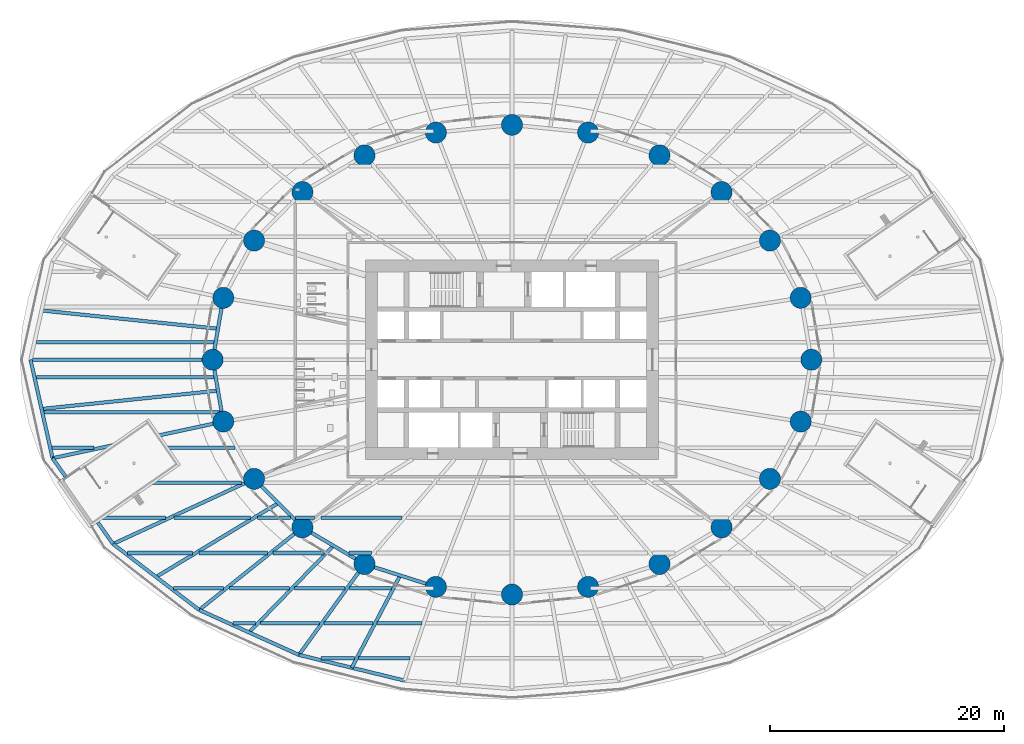
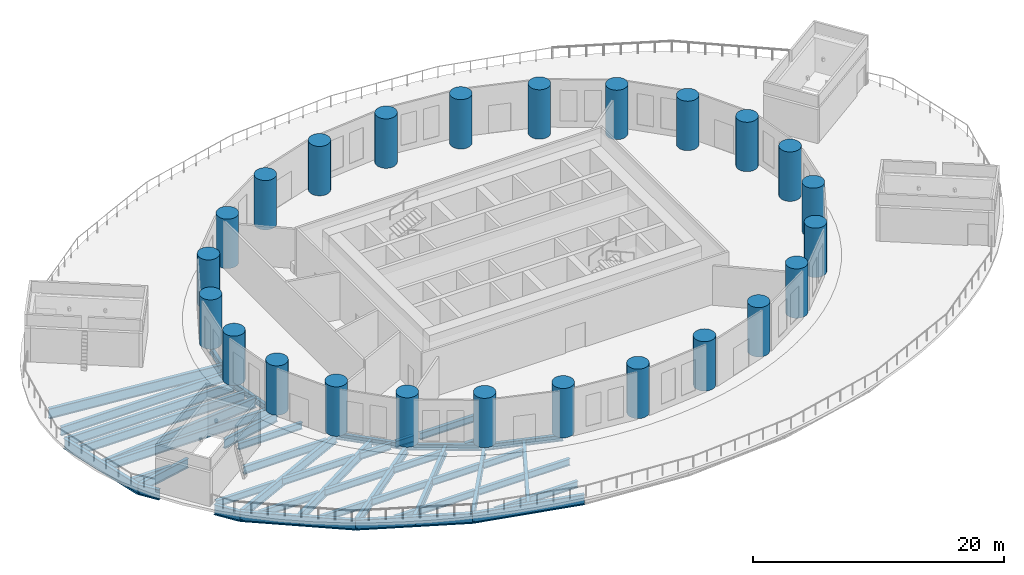
# One storey, part 1 of 17: 47 beams, 24 columns.
"""IFC4 building model written with IfcOpenShell, lengths in metres."""

import ifcopenshell
import ifcopenshell.guid

model = None  # the IFC model being written
_history = None  # IfcOwnerHistory: only IFC2X3 demands one
_inside = {}  # id of a spatial element -> (the spatial element, [elements in it])
_under = {}  # id of a project, library or spatial element -> (it, [spatial elements below it])
_declared = {}  # id of a project -> (the project, [libraries it declares])
_typed = {}  # id of a type object -> (the type object, [elements of that type])
_made_of = {}  # id of a material, layer set ... -> (it, [elements and type objects made of it])


def new_model(schema):
    """Start an empty IFC model of exactly this schema.

    Asked for "IFC4X3", IfcOpenShell would pick the latest addendum, in which some entities
    have other attributes; the version numbers below select the first issue.
    IFC2X3 requires an IfcOwnerHistory on every rooted entity: one is made here for all.
    """
    global model, _history
    if schema == "IFC4X3":
        model = ifcopenshell.file(schema_version=(4, 3, 0, 0))
    else:
        model = ifcopenshell.file(schema=schema)
    _inside.clear()
    _under.clear()
    _declared.clear()
    _typed.clear()
    _made_of.clear()
    _history = None
    if model.schema == "IFC2X3":
        org = make("IfcOrganization", Name="unknown")
        user = make(
            "IfcPersonAndOrganization",
            ThePerson=make("IfcPerson", FamilyName="unknown"),
            TheOrganization=org,
        )
        app = make(
            "IfcApplication",
            ApplicationDeveloper=org,
            Version="unknown",
            ApplicationFullName="unknown",
            ApplicationIdentifier="unknown",
        )
        _history = make(
            "IfcOwnerHistory",
            OwningUser=user,
            OwningApplication=app,
            ChangeAction="ADDED",
            CreationDate=0,
        )
    return model


def make(cls, **values):
    """One entity of the class cls with the attributes given. An attribute that is None is left unset."""
    return model.create_entity(
        cls, **{name: value for name, value in values.items() if value is not None}
    )


def rooted(cls, **values):
    """An entity with a GlobalId (a new one), such as an element, a storey or a relation."""
    return make(cls, GlobalId=ifcopenshell.guid.new(), OwnerHistory=_history, **values)


def si_unit(unit_type, name, prefix=None):
    """IfcSIUnit, for example si_unit("LENGTHUNIT", "METRE", prefix="MILLI")."""
    return make("IfcSIUnit", UnitType=unit_type, Prefix=prefix, Name=name)


def assignment(units):
    """IfcUnitAssignment: the units of a project."""
    return None if units is None else make("IfcUnitAssignment", Units=units)


def point(xyz):
    """IfcCartesianPoint."""
    return None if xyz is None else make("IfcCartesianPoint", Coordinates=xyz)


def direction(xyz):
    """IfcDirection."""
    return None if xyz is None else make("IfcDirection", DirectionRatios=xyz)


def frame(location, z_axis=None, x_axis=None):
    """IfcAxis2Placement3D, a coordinate frame: its origin and axes. An axis left out is left unset."""
    return make(
        "IfcAxis2Placement3D",
        Location=point(location),
        Axis=direction(z_axis),
        RefDirection=direction(x_axis),
    )


def frame_2d(location, x_axis=None):
    """IfcAxis2Placement2D, a coordinate frame in the plane: its origin and x axis."""
    return make(
        "IfcAxis2Placement2D", Location=point(location), RefDirection=direction(x_axis)
    )


def origin():
    """The frame at (0, 0, 0) with its axes left unset."""
    return frame((0.0, 0.0, 0.0))


def origin_2d():
    """The frame at (0, 0) in the plane with its x axis left unset."""
    return frame_2d((0.0, 0.0))


def place(relative_to, where):
    """IfcLocalPlacement: puts the frame where relative to a parent placement (None: the world)."""
    return make(
        "IfcLocalPlacement", PlacementRelTo=relative_to, RelativePlacement=where
    )


def context(
    kind, dimensions, precision=None, world=None, true_north=None, identifier=None
):
    """IfcGeometricRepresentationContext, for example the 3D "Model" context."""
    return make(
        "IfcGeometricRepresentationContext",
        ContextIdentifier=identifier,
        ContextType=kind,
        CoordinateSpaceDimension=dimensions,
        Precision=precision,
        WorldCoordinateSystem=world,
        TrueNorth=true_north,
    )


def subcontext(parent, identifier, kind, view, scale=None):
    """IfcGeometricRepresentationSubContext, for example "Body" below "Model"."""
    return make(
        "IfcGeometricRepresentationSubContext",
        ContextIdentifier=identifier,
        ContextType=kind,
        ParentContext=parent,
        TargetScale=scale,
        TargetView=view,
    )


def project(units=None, contexts=None):
    """IfcProject with its units and contexts."""
    return rooted(
        "IfcProject",
        Name="project",
        RepresentationContexts=contexts,
        UnitsInContext=assignment(units),
    )


def spatial(cls, under=None, at=None, **own):
    """A site, building, storey or space (cls), placed at a placement, below another one or the project."""
    s = rooted(cls, ObjectPlacement=at, **own)
    if under is not None:
        _under.setdefault(under.id(), (under, []))[1].append(s)
    return s


def profile(cls, at=None, kind="AREA", **sizes):
    """A parametric profile (cls). Its sizes go by their IFC names, for example OverallWidth=200.0."""
    return make(cls, ProfileType=kind, Position=at, **sizes)


def circle(**sizes):
    """IfcCircleProfileDef."""
    return profile("IfcCircleProfileDef", **sizes)


def i_section(**sizes):
    """IfcIShapeProfileDef."""
    return profile("IfcIShapeProfileDef", **sizes)


def extrude(swept, where, along, depth):
    """IfcExtrudedAreaSolid: the profile swept, set in the frame where, extruded along a direction by depth."""
    return make(
        "IfcExtrudedAreaSolid",
        SweptArea=swept,
        Position=where,
        ExtrudedDirection=direction(along),
        Depth=depth,
    )


def shape(context_of_items, identifier, shape_type, items):
    """IfcShapeRepresentation: the items that make up one representation, for example the "Body"."""
    return make(
        "IfcShapeRepresentation",
        ContextOfItems=context_of_items,
        RepresentationIdentifier=identifier,
        RepresentationType=shape_type,
        Items=items,
    )


def material(Name=None, Category=None):
    """IfcMaterial."""
    return make("IfcMaterial", Name=Name, Category=Category)


def material_profile(
    of_material, cross_section, Name=None, Category=None, Priority=None
):
    """IfcMaterialProfile: a cross section and its material."""
    return make(
        "IfcMaterialProfile",
        Name=Name,
        Material=of_material,
        Profile=cross_section,
        Priority=Priority,
        Category=Category,
    )


def profile_set(profiles, Name=None, composite=None):
    """IfcMaterialProfileSet."""
    return make(
        "IfcMaterialProfileSet",
        Name=Name,
        MaterialProfiles=profiles,
        CompositeProfile=composite,
    )


def made_of(thing, what):
    """Note that an element or type object is made of a material, layer set ...; save() writes the relation."""
    if what is not None:
        _made_of.setdefault(what.id(), (what, []))[1].append(thing)
    return thing


def type_object(cls, material=None, **own):
    """A type object (cls), such as IfcWallType, which elements share."""
    return made_of(rooted(cls, **own), material)


def element(
    cls,
    number,
    at=None,
    inside=None,
    cuts=None,
    type_object=None,
    material=None,
    context=None,
    identifier="Body",
    shape_type=None,
    held_by="IfcProductDefinitionShape",
    body=None,
    shapes=None,
    **own,
):
    """One element of the class cls, such as IfcWall. Its Tag is "e" and its number.

    at: its placement. inside: the storey or other place that contains it. cuts: it is an
    opening in that element (IfcRelVoidsElement). A single representation is given by context,
    identifier, shape_type and body (its items); several are given by shapes. held_by: the class
    of the entity that holds the representations. save() writes the other relations.
    """
    e = rooted(cls, Tag="e%d" % number, ObjectPlacement=at, **own)
    if body is not None:
        shapes = [shape(context, identifier, shape_type, body)]
    if shapes is not None:
        e.Representation = make(held_by, Representations=shapes)
    if inside is not None:
        _inside.setdefault(inside.id(), (inside, []))[1].append(e)
    if cuts is not None:
        rooted(
            "IfcRelVoidsElement", RelatingBuildingElement=cuts, RelatedOpeningElement=e
        )
    if type_object is not None:
        _typed.setdefault(type_object.id(), (type_object, []))[1].append(e)
    return made_of(e, material)


def aggregate(whole, parts):
    """IfcRelAggregates: a whole, such as a stair, and the parts it consists of."""
    return rooted("IfcRelAggregates", RelatingObject=whole, RelatedObjects=parts)


def save(model, path):
    """Write the relations noted so far, then the file.

    IfcRelAggregates (storeys below a building ...), IfcRelContainedInSpatialStructure (elements
    in a storey), IfcRelDefinesByType, IfcRelAssociatesMaterial and IfcRelDeclares: one each for
    every whole, place, type object, material and project.
    """
    for whole, parts in _under.values():
        aggregate(whole, parts)
    for where, things in _inside.values():
        rooted(
            "IfcRelContainedInSpatialStructure",
            RelatedElements=things,
            RelatingStructure=where,
        )
    for kind, things in _typed.values():
        rooted("IfcRelDefinesByType", RelatedObjects=things, RelatingType=kind)
    for what, things in _made_of.values():
        rooted("IfcRelAssociatesMaterial", RelatedObjects=things, RelatingMaterial=what)
    for by, libraries in _declared.values():
        rooted("IfcRelDeclares", RelatingContext=by, RelatedDefinitions=libraries)
    model.write(path)


model = new_model("IFC4")

# Units and contexts
model_context = context("Model", 3, precision=1e-05, world=origin(), true_north=direction((0.0, 1.0)))
body_context = subcontext(model_context, "Body", "Model", "MODEL_VIEW")
ifc_project = project(units=[si_unit("LENGTHUNIT", "METRE"), si_unit("AREAUNIT", "SQUARE_METRE"), si_unit("VOLUMEUNIT", "CUBIC_METRE"), si_unit("PLANEANGLEUNIT", "RADIAN"), si_unit("MASSUNIT", "GRAM", prefix="KILO")], contexts=[model_context])

# Site, building, storey
site_placement = place(None, origin())
site = spatial("IfcSite", under=ifc_project, at=site_placement, CompositionType="ELEMENT")
building_placement = place(site_placement, origin())
building = spatial("IfcBuilding", under=site, at=building_placement, Name="Hankou Lantern Tower", CompositionType="ELEMENT")
storey_placement = place(building_placement, frame((0.0, 0.0, 24.60009765625)))
storey = spatial("IfcBuildingStorey", under=building, at=storey_placement, Name="L04", CompositionType="ELEMENT", Elevation=24.60009765625)

# Columns
ifc_material_1 = material(Name="Concrete C60", Category="concrete")
ifc_material_profile_1 = material_profile(ifc_material_1, circle(Radius=0.89990234375, at=origin_2d()), Name="RC D1800")
ifc_profile_set_1 = profile_set([ifc_material_profile_1], Name="Concrete C60")
column_type = type_object("IfcColumnType", Name="TC1 PERIMETER COLUMN RC D1800", PredefinedType="COLUMN", material=ifc_profile_set_1)
for number, where, z_axis, x_axis, name in (
    (1, (25.550048828125, 0.0, 0.0), (0.0, 0.0, 1.0), (1.0, 0.0, 0.0), "Column R01 L04"),
    (2, (24.64697265625, 5.283203125, 0.0), (0.0, 0.0, 1.0), (1.0, 0.0, 0.0), "Column R02 L04"),
    (3, (22.01904296875, 10.170166015625, 0.0), (0.0, 0.0, 1.0), (1.0, 0.0, 0.0), "Column R03 L04"),
    (4, (17.891845703125, 14.3134765625, 0.0), (0.0, 0.0, 1.0), (1.0, 0.0, 0.0), "Column R04 L04"),
    (5, (12.5908203125, 17.446533203125, 0.0), (0.0, 0.0, 1.0), (1.0, 0.0, 0.0), "Column R05 L04"),
    (6, (6.494873046875, 19.391357421875, 0.0), (0.0, 0.0, 1.0), (1.0, 0.0, 0.0), "Column R06 L04"),
    (7, (0.0, 20.050048828125, 0.0), (0.0, 0.0, 1.0), (1.0, 0.0, 0.0), "Column R07 L04"),
    (8, (-6.494873046875, 19.391357421875, 0.0), (0.0, 0.0, 1.0), (1.0, 0.0, 0.0), "Column R08 L04"),
    (9, (-12.5908203125, 17.446533203125, 0.0), (0.0, 0.0, 1.0), (1.0, 0.0, 0.0), "Column R09 L04"),
    (10, (-17.891845703125, 14.3134765625, 0.0), (0.0, 0.0, 1.0), (1.0, 0.0, 0.0), "Column R10 L04"),
    (11, (-22.01904296875, 10.170166015625, 0.0), (0.0, 0.0, 1.0), (1.0, 0.0, 0.0), "Column R11 L04"),
    (12, (-24.64697265625, 5.283203125, 0.0), (0.0, 0.0, 1.0), (1.0, 0.0, 0.0), "Column R12 L04"),
    (13, (-25.550048828125, 0.0, 0.0), (0.0, 0.0, 1.0), (1.0, 0.0, 0.0), "Column R13 L04"),
    (14, (-24.64697265625, -5.283203125, 0.0), (0.0, 0.0, 1.0), (1.0, 0.0, 0.0), "Column R14 L04"),
    (15, (-22.01904296875, -10.170166015625, 0.0), (0.0, 0.0, 1.0), (1.0, 0.0, 0.0), "Column R15 L04"),
    (16, (-17.891845703125, -14.3134765625, 0.0), (0.0, 0.0, 1.0), (1.0, 0.0, 0.0), "Column R16 L04"),
    (17, (-12.5908203125, -17.446533203125, 0.0), (0.0, 0.0, 1.0), (1.0, 0.0, 0.0), "Column R17 L04"),
    (18, (-6.494873046875, -19.391357421875, 0.0), (0.0, 0.0, 1.0), (1.0, 0.0, 0.0), "Column R18 L04"),
    (19, (0.0, -20.050048828125, 0.0), (0.0, 0.0, 1.0), (1.0, 0.0, 0.0), "Column R19 L04"),
    (20, (6.494873046875, -19.391357421875, 0.0), (0.0, 0.0, 1.0), (1.0, 0.0, 0.0), "Column R20 L04"),
    (21, (12.5908203125, -17.446533203125, 0.0), (0.0, 0.0, 1.0), (1.0, 0.0, 0.0), "Column R21 L04"),
    (22, (17.891845703125, -14.3134765625, 0.0), (0.0, 0.0, 1.0), (1.0, 0.0, 0.0), "Column R22 L04"),
    (23, (22.01904296875, -10.170166015625, 0.0), (0.0, 0.0, 1.0), (1.0, 0.0, 0.0), "Column R23 L04"),
    (24, (24.64697265625, -5.283203125, 0.0), (0.0, 0.0, 1.0), (1.0, 0.0, 0.0), "Column R24 L04"),
):
    element("IfcColumn", number, at=place(storey_placement, frame(where, z_axis=z_axis, x_axis=x_axis)), inside=storey, type_object=column_type, Name=name, PredefinedType="COLUMN", context=body_context, shape_type="SweptSolid", body=[
        extrude(circle(Radius=0.89990234375, at=origin_2d()), origin(), (0.0, 0.0, 1.0), 4.7998046875),
    ])

# Beams
ifc_material_2 = material(Name="Steel Q355B", Category="steel")
ifc_material_profile_2 = material_profile(ifc_material_2, i_section(OverallWidth=0.300048828125, OverallDepth=0.587890625, WebThickness=0.011962890625, FlangeThickness=0.02001953125, FilletRadius=0.01806640625, at=origin_2d()), Name="HM588x300x12x20")
ifc_profile_set_2 = profile_set([ifc_material_profile_2], Name="Steel Q355B")
beam_type_1 = type_object("IfcBeamType", Name="EB16 RING BEAM HM588x300x12x20", PredefinedType="SPANDREL", material=ifc_profile_set_2)
for number, where, z_axis, x_axis, name in (
    (25, (-24.64697265625, 5.283203125, -0.544189453125), (-0.168489691988, -0.985703415685, 0.0), (0.985703415685, -0.168489691988, 0.0), "Ring beam R12-R13 L04"),
    (26, (-25.550048828125, 0.0, -0.544189453125), (0.168489691988, -0.985703415685, 0.0), (0.985703415685, 0.168489691988, 0.0), "Ring beam R13-R14 L04"),
):
    element("IfcBeam", number, at=place(storey_placement, frame(where, z_axis=z_axis, x_axis=x_axis)), inside=storey, type_object=beam_type_1, Name=name, PredefinedType="SPANDREL", context=body_context, shape_type="SweptSolid", body=[
        extrude(i_section(OverallWidth=0.300048828125, OverallDepth=0.587890625, WebThickness=0.011962890625, FlangeThickness=0.02001953125, FilletRadius=0.01806640625, at=origin_2d()), origin(), (0.0, 0.0, 1.0), 5.35986328125),
    ])
beam_1_placement = place(storey_placement, frame((-22.01904296875, -10.170166015625, -0.544189453125), z_axis=(0.705727798394, -0.708483079949, 0.0), x_axis=(0.708483079949, 0.705727798394, 0.0)))
element("IfcBeam", 27, at=beam_1_placement, inside=storey, type_object=beam_type_1, Name="Ring beam R15-R16 L04", PredefinedType="SPANDREL", context=body_context, shape_type="SweptSolid", body=[
    extrude(i_section(OverallWidth=0.300048828125, OverallDepth=0.587890625, WebThickness=0.011962890625, FlangeThickness=0.02001953125, FilletRadius=0.01806640625, at=origin_2d()), origin(), (0.0, 0.0, 1.0), 5.84814453125),
])
beam_2_placement = place(storey_placement, frame((-17.891845703125, -14.3134765625, -0.544189453125), z_axis=(0.860881533543, -0.508805449268, 0.0), x_axis=(0.508805449268, 0.860881533543, 0.0)))
element("IfcBeam", 28, at=beam_2_placement, inside=storey, type_object=beam_type_1, Name="Ring beam R16-R17 L04", PredefinedType="SPANDREL", context=body_context, shape_type="SweptSolid", body=[
    extrude(i_section(OverallWidth=0.300048828125, OverallDepth=0.587890625, WebThickness=0.011962890625, FlangeThickness=0.02001953125, FilletRadius=0.01806640625, at=origin_2d()), origin(), (0.0, 0.0, 1.0), 6.15771484375),
])
beam_3_placement = place(storey_placement, frame((-12.5908203125, -17.446533203125, -0.544189453125), z_axis=(0.952690479428, -0.303942182671, 0.0), x_axis=(0.303942182671, 0.952690479428, 0.0)))
element("IfcBeam", 29, at=beam_3_placement, inside=storey, type_object=beam_type_1, Name="Ring beam R17-R18 L04", PredefinedType="SPANDREL", context=body_context, shape_type="SweptSolid", body=[
    extrude(i_section(OverallWidth=0.300048828125, OverallDepth=0.587890625, WebThickness=0.011962890625, FlangeThickness=0.02001953125, FilletRadius=0.01806640625, at=origin_2d()), origin(), (0.0, 0.0, 1.0), 6.398681640625),
])
ifc_material_3 = material(Name="Steel Q355B", Category="steel")
ifc_material_profile_3 = material_profile(ifc_material_3, i_section(OverallWidth=0.300048828125, OverallDepth=0.89990234375, WebThickness=0.01611328125, FlangeThickness=0.028076171875, FilletRadius=0.01806640625, at=origin_2d()), Name="HN900x300x16x28")
ifc_profile_set_3 = profile_set([ifc_material_profile_3], Name="Steel Q355B")
beam_type_2 = type_object("IfcBeamType", Name="PB13 PODIUM RADIAL BEAM HN900x300x16x28", PredefinedType="BEAM", material=ifc_profile_set_3)
beam_4_placement = place(storey_placement, frame((-25.550048828125, 0.0, -0.7001953125), z_axis=(-1.0, 0.0, 0.0), x_axis=(0.0, -1.0, 0.0)))
element("IfcBeam", 30, at=beam_4_placement, inside=storey, type_object=beam_type_2, Name="Podium radial beam R13 L04", PredefinedType="BEAM", context=body_context, shape_type="SweptSolid", body=[
    extrude(i_section(OverallWidth=0.300048828125, OverallDepth=0.89990234375, WebThickness=0.01611328125, FlangeThickness=0.028076171875, FilletRadius=0.01806640625, at=origin_2d()), origin(), (0.0, 0.0, 1.0), 15.550048828125),
])
beam_5_placement = place(storey_placement, frame((-24.64697265625, -5.283203125, -0.7001953125), z_axis=(-0.977787338777, -0.209599427782, 0.0), x_axis=(0.209599427782, -0.977787338777, 0.0)))
element("IfcBeam", 31, at=beam_5_placement, inside=storey, type_object=beam_type_2, Name="Podium radial beam R14 L04 inner part", PredefinedType="BEAM", context=body_context, shape_type="SweptSolid", body=[
    extrude(i_section(OverallWidth=0.300048828125, OverallDepth=0.89990234375, WebThickness=0.01611328125, FlangeThickness=0.028076171875, FilletRadius=0.01806640625, at=origin_2d()), origin(), (0.0, 0.0, 1.0), 5.68896484375),
])
beam_6_placement = place(storey_placement, frame((-34.01025390625, -7.29052734375, -0.7001953125), z_axis=(-0.977788323488, -0.209594834028, 0.0), x_axis=(0.209594834028, -0.977788323488, 0.0)))
element("IfcBeam", 32, at=beam_6_placement, inside=storey, type_object=beam_type_2, Name="Podium radial beam R14 L04 outer part", PredefinedType="BEAM", context=body_context, shape_type="SweptSolid", body=[
    extrude(i_section(OverallWidth=0.300048828125, OverallDepth=0.89990234375, WebThickness=0.01611328125, FlangeThickness=0.028076171875, FilletRadius=0.01806640625, at=origin_2d()), origin(), (0.0, 0.0, 1.0), 5.32568359375),
])
beam_7_placement = place(storey_placement, frame((-22.01904296875, -10.170166015625, -0.7001953125), z_axis=(-0.907840792808, -0.419315030633, 0.0), x_axis=(0.419315030633, -0.907840792808, 0.0)))
element("IfcBeam", 33, at=beam_7_placement, inside=storey, type_object=beam_type_2, Name="Podium radial beam R15 L04", PredefinedType="BEAM", context=body_context, shape_type="SweptSolid", body=[
    extrude(i_section(OverallWidth=0.300048828125, OverallDepth=0.89990234375, WebThickness=0.01611328125, FlangeThickness=0.028076171875, FilletRadius=0.01806640625, at=origin_2d()), origin(), (0.0, 0.0, 1.0), 13.259765625),
])
beam_8_placement = place(storey_placement, frame((-17.891845703125, -14.3134765625, -0.7001953125), z_axis=(-0.780875142676, -0.624687130931, 0.0), x_axis=(0.624687130931, -0.780875142676, 0.0)))
element("IfcBeam", 34, at=beam_8_placement, inside=storey, type_object=beam_type_2, Name="Podium radial beam R16 L04", PredefinedType="BEAM", context=body_context, shape_type="SweptSolid", body=[
    extrude(i_section(OverallWidth=0.300048828125, OverallDepth=0.89990234375, WebThickness=0.01611328125, FlangeThickness=0.028076171875, FilletRadius=0.01806640625, at=origin_2d()), origin(), (0.0, 0.0, 1.0), 11.28271484375),
])
beam_9_placement = place(storey_placement, frame((-12.5908203125, -17.446533203125, -0.7001953125), z_axis=(-0.585207097055, -0.810883871807, 0.0), x_axis=(0.810883871807, -0.585207097055, 0.0)))
element("IfcBeam", 35, at=beam_9_placement, inside=storey, type_object=beam_type_2, Name="Podium radial beam R17 L04", PredefinedType="BEAM", context=body_context, shape_type="SweptSolid", body=[
    extrude(i_section(OverallWidth=0.300048828125, OverallDepth=0.89990234375, WebThickness=0.01611328125, FlangeThickness=0.028076171875, FilletRadius=0.01806640625, at=origin_2d()), origin(), (0.0, 0.0, 1.0), 9.56103515625),
])
ifc_material_4 = material(Name="Steel Q355B", Category="steel")
ifc_material_profile_4 = material_profile(ifc_material_4, i_section(OverallWidth=0.300048828125, OverallDepth=1.0, WebThickness=0.01904296875, FlangeThickness=0.035888671875, FilletRadius=0.01806640625, at=origin_2d()), Name="HN1000x300x19x36")
ifc_profile_set_4 = profile_set([ifc_material_profile_4], Name="Steel Q355B")
beam_type_3 = type_object("IfcBeamType", Name="PR22 PODIUM RING BEAM HN1000x300x19x36", PredefinedType="BEAM", material=ifc_profile_set_4)
beam_10_placement = place(storey_placement, frame((-41.10009765625, 0.0, -0.75), z_axis=(0.218523498172, -0.975831686689, 0.0), x_axis=(0.975831686689, 0.218523498172, 0.0)))
element("IfcBeam", 36, at=beam_10_placement, inside=storey, type_object=beam_type_3, Name="Podium ring beam R13-R14 L04", PredefinedType="BEAM", context=body_context, shape_type="SweptSolid", body=[
    extrude(i_section(OverallWidth=0.300048828125, OverallDepth=1.0, WebThickness=0.01904296875, FlangeThickness=0.035888671875, FilletRadius=0.01806640625, at=origin_2d()), origin(), (0.0, 0.0, 1.0), 8.614990234375),
])
beam_11_placement = place(storey_placement, frame((-39.217529296875, -8.40673828125, -0.75), z_axis=(0.576019631526, -0.817435859317, 0.0), x_axis=(0.817435859317, 0.576019631526, 0.0)))
element("IfcBeam", 37, at=beam_11_placement, inside=storey, type_object=beam_type_3, Name="Podium ring beam R14-R15 L04 west part", PredefinedType="BEAM", context=body_context, shape_type="SweptSolid", body=[
    extrude(i_section(OverallWidth=0.300048828125, OverallDepth=1.0, WebThickness=0.01904296875, FlangeThickness=0.035888671875, FilletRadius=0.01806640625, at=origin_2d()), origin(), (0.0, 0.0, 1.0), 1.9072265625),
])
beam_12_placement = place(storey_placement, frame((-35.35400390625, -13.889404296875, -0.75), z_axis=(0.576006222853, -0.817445307794, 0.0), x_axis=(0.817445307794, 0.576006222853, 0.0)))
element("IfcBeam", 38, at=beam_12_placement, inside=storey, type_object=beam_type_3, Name="Podium ring beam R14-R15 L04 east part", PredefinedType="BEAM", context=body_context, shape_type="SweptSolid", body=[
    extrude(i_section(OverallWidth=0.300048828125, OverallDepth=1.0, WebThickness=0.01904296875, FlangeThickness=0.035888671875, FilletRadius=0.01806640625, at=origin_2d()), origin(), (0.0, 0.0, 1.0), 2.251953125),
])
beam_13_placement = place(storey_placement, frame((-34.056884765625, -15.730224609375, -0.75), z_axis=(0.793985875103, -0.607936205647, 0.0), x_axis=(0.607936205647, 0.793985875103, 0.0)))
element("IfcBeam", 39, at=beam_13_placement, inside=storey, type_object=beam_type_3, Name="Podium ring beam R15-R16 L04", PredefinedType="BEAM", context=body_context, shape_type="SweptSolid", body=[
    extrude(i_section(OverallWidth=0.300048828125, OverallDepth=1.0, WebThickness=0.01904296875, FlangeThickness=0.035888671875, FilletRadius=0.01806640625, at=origin_2d()), origin(), (0.0, 0.0, 1.0), 9.262939453125),
])
beam_14_placement = place(storey_placement, frame((-26.7021484375, -21.361572265625, -0.75), z_axis=(0.911695429723, -0.410866697874, 0.0), x_axis=(0.410866697874, 0.911695429723, 0.0)))
element("IfcBeam", 40, at=beam_14_placement, inside=storey, type_object=beam_type_3, Name="Podium ring beam R16-R17 L04", PredefinedType="BEAM", context=body_context, shape_type="SweptSolid", body=[
    extrude(i_section(OverallWidth=0.300048828125, OverallDepth=1.0, WebThickness=0.01904296875, FlangeThickness=0.035888671875, FilletRadius=0.01806640625, at=origin_2d()), origin(), (0.0, 0.0, 1.0), 9.341064453125),
])
beam_15_placement = place(storey_placement, frame((-18.18603515625, -25.199462890625, -0.75), z_axis=(0.971677242441, -0.23631194748, 0.0), x_axis=(0.23631194748, 0.971677242441, 0.0)))
element("IfcBeam", 41, at=beam_15_placement, inside=storey, type_object=beam_type_3, Name="Podium ring beam R17-R18 L04", PredefinedType="BEAM", context=body_context, shape_type="SweptSolid", body=[
    extrude(i_section(OverallWidth=0.300048828125, OverallDepth=1.0, WebThickness=0.01904296875, FlangeThickness=0.035888671875, FilletRadius=0.01806640625, at=origin_2d()), origin(), (0.0, 0.0, 1.0), 9.2744140625),
])
ifc_material_5 = material(Name="Steel Q355B", Category="steel")
ifc_material_profile_5 = material_profile(ifc_material_5, i_section(OverallWidth=0.300048828125, OverallDepth=0.89990234375, WebThickness=0.01611328125, FlangeThickness=0.028076171875, FilletRadius=0.01806640625, at=origin_2d()), Name="HN900x300x16x28")
ifc_profile_set_5 = profile_set([ifc_material_profile_5], Name="Steel Q355B")
beam_type_4 = type_object("IfcBeamType", Name="PS13 PODIUM SECONDARY BEAM HN900x300x16x28", PredefinedType="JOIST", material=ifc_profile_set_5)
beam_16_placement = place(storey_placement, frame((-19.955322265625, -12.24169921875, -0.7001953125), z_axis=(-0.855685755165, -0.517495785884, 0.0), x_axis=(0.517495785884, -0.855685755165, 0.0)))
element("IfcBeam", 42, at=beam_16_placement, inside=storey, type_object=beam_type_4, Name="Podium secondary beam bay R15 L04", PredefinedType="JOIST", context=body_context, shape_type="SweptSolid", body=[
    extrude(i_section(OverallWidth=0.300048828125, OverallDepth=0.89990234375, WebThickness=0.01611328125, FlangeThickness=0.028076171875, FilletRadius=0.01806640625, at=origin_2d()), origin(), (0.0, 0.0, 1.0), 12.18212890625),
])
beam_17_placement = place(storey_placement, frame((-15.2412109375, -15.8798828125, -0.7001953125), z_axis=(-0.697467529957, -0.716616385981, 0.0), x_axis=(0.716616385981, -0.697467529957, 0.0)))
element("IfcBeam", 43, at=beam_17_placement, inside=storey, type_object=beam_type_4, Name="Podium secondary beam bay R16 L04", PredefinedType="JOIST", context=body_context, shape_type="SweptSolid", body=[
    extrude(i_section(OverallWidth=0.300048828125, OverallDepth=0.89990234375, WebThickness=0.01611328125, FlangeThickness=0.028076171875, FilletRadius=0.01806640625, at=origin_2d()), origin(), (0.0, 0.0, 1.0), 10.3271484375),
])
beam_18_placement = place(storey_placement, frame((-9.54296875, -18.4189453125, -0.7001953125), z_axis=(-0.465026961303, -0.88529651827, 0.0), x_axis=(0.88529651827, -0.465026961303, 0.0)))
element("IfcBeam", 44, at=beam_18_placement, inside=storey, type_object=beam_type_4, Name="Podium secondary beam bay R17 L04", PredefinedType="JOIST", context=body_context, shape_type="SweptSolid", body=[
    extrude(i_section(OverallWidth=0.300048828125, OverallDepth=0.89990234375, WebThickness=0.01611328125, FlangeThickness=0.028076171875, FilletRadius=0.01806640625, at=origin_2d()), origin(), (0.0, 0.0, 1.0), 8.896728515625),
])
ifc_material_6 = material(Name="Steel Q355B", Category="steel")
ifc_material_profile_6 = material_profile(ifc_material_6, i_section(OverallWidth=0.300048828125, OverallDepth=1.0, WebThickness=0.01904296875, FlangeThickness=0.035888671875, FilletRadius=0.01806640625, at=origin_2d()), Name="HN1000x300x19x36")
ifc_profile_set_6 = profile_set([ifc_material_profile_6], Name="Steel Q355B")
beam_type_5 = type_object("IfcBeamType", Name="PS22 PODIUM SECONDARY BEAM HN1000x300x19x36", PredefinedType="JOIST", material=ifc_profile_set_6)
for number, where, z_axis, x_axis, name in (
    (45, (-25.098388671875, 2.6416015625, -0.75), (-0.994666039581, 0.103147805132, 0.0), (-0.103147805132, -0.994666039581, 0.0), "Podium secondary beam bay R12 L04"),
    (46, (-25.098388671875, -2.6416015625, -0.75), (-0.994666039581, -0.103147805132, 0.0), (0.103147805132, -0.994666039581, 0.0), "Podium secondary beam bay R13 L04"),
):
    element("IfcBeam", number, at=place(storey_placement, frame(where, z_axis=z_axis, x_axis=x_axis)), inside=storey, type_object=beam_type_5, Name=name, PredefinedType="JOIST", context=body_context, shape_type="SweptSolid", body=[
        extrude(i_section(OverallWidth=0.300048828125, OverallDepth=1.0, WebThickness=0.01904296875, FlangeThickness=0.035888671875, FilletRadius=0.01806640625, at=origin_2d()), origin(), (0.0, 0.0, 1.0), 15.14111328125),
    ])
ifc_material_7 = material(Name="Steel Q355B", Category="steel")
ifc_material_profile_7 = material_profile(ifc_material_7, i_section(OverallWidth=0.300048828125, OverallDepth=0.75, WebThickness=0.012939453125, FlangeThickness=0.02392578125, FilletRadius=0.01806640625, at=origin_2d()), Name="HN750x300x13x24")
ifc_profile_set_7 = profile_set([ifc_material_profile_7], Name="Steel Q355B")
beam_type_6 = type_object("IfcBeamType", Name="SB10 SECONDARY BEAM HN750x300x13x24", PredefinedType="JOIST", material=ifc_profile_set_7)
beam_19_placement = place(storey_placement, frame((-30.743896484375, -10.5, -0.625), z_axis=(1.0, 0.0, 0.0), x_axis=(0.0, 1.0, 0.0)))
element("IfcBeam", 47, at=beam_19_placement, inside=storey, type_object=beam_type_6, Name="Floor joist JT043 L04", PredefinedType="JOIST", context=body_context, shape_type="SweptSolid", body=[
    extrude(i_section(OverallWidth=0.300048828125, OverallDepth=0.75, WebThickness=0.012939453125, FlangeThickness=0.02392578125, FilletRadius=0.01806640625, at=origin_2d()), origin(), (0.0, 0.0, 1.0), 7.653076171875),
])
ifc_material_8 = material(Name="Steel Q355B", Category="steel")
ifc_material_profile_8 = material_profile(ifc_material_8, i_section(OverallWidth=0.300048828125, OverallDepth=0.85009765625, WebThickness=0.01611328125, FlangeThickness=0.027099609375, FilletRadius=0.01806640625, at=origin_2d()), Name="HN850x300x16x27")
ifc_profile_set_8 = profile_set([ifc_material_profile_8], Name="Steel Q355B")
beam_type_7 = type_object("IfcBeamType", Name="SB12 SECONDARY BEAM HN850x300x16x27", PredefinedType="JOIST", material=ifc_profile_set_8)
beam_20_placement = place(storey_placement, frame((-39.938720703125, -4.5, -0.675048828125), z_axis=(1.0, 0.0, 0.0), x_axis=(0.0, 1.0, 0.0)))
element("IfcBeam", 48, at=beam_20_placement, inside=storey, type_object=beam_type_7, Name="Floor joist JT049 L04", PredefinedType="JOIST", context=body_context, shape_type="SweptSolid", body=[
    extrude(i_section(OverallWidth=0.300048828125, OverallDepth=0.85009765625, WebThickness=0.01611328125, FlangeThickness=0.027099609375, FilletRadius=0.01806640625, at=origin_2d()), origin(), (0.0, 0.0, 1.0), 15.005615234375),
])
for number, where, z_axis, x_axis, name in (
    (49, (-40.6103515625, -1.5, -0.675048828125), (1.0, 0.0, 0.0), (0.0, 1.0, 0.0), "Floor joist JT051 L04"),
    (50, (-40.6103515625, 1.5, -0.675048828125), (1.0, 0.0, 0.0), (0.0, 1.0, 0.0), "Floor joist JT053 L04"),
):
    element("IfcBeam", number, at=place(storey_placement, frame(where, z_axis=z_axis, x_axis=x_axis)), inside=storey, type_object=beam_type_7, Name=name, PredefinedType="JOIST", context=body_context, shape_type="SweptSolid", body=[
        extrude(i_section(OverallWidth=0.300048828125, OverallDepth=0.85009765625, WebThickness=0.01611328125, FlangeThickness=0.027099609375, FilletRadius=0.01806640625, at=origin_2d()), origin(), (0.0, 0.0, 1.0), 15.16455078125),
    ])
ifc_material_9 = material(Name="Steel Q355B", Category="steel")
ifc_material_profile_9 = material_profile(ifc_material_9, i_section(OverallWidth=0.300048828125, OverallDepth=0.64990234375, WebThickness=0.010986328125, FlangeThickness=0.01708984375, FilletRadius=0.01806640625, at=origin_2d()), Name="HN650x300x11x17")
ifc_profile_set_9 = profile_set([ifc_material_profile_9], Name="Steel Q355B")
beam_type_8 = type_object("IfcBeamType", Name="SB8 SECONDARY BEAM HN650x300x11x17", PredefinedType="JOIST", material=ifc_profile_set_9)
beam_21_placement = place(storey_placement, frame((-13.8974609375, -16.5, -0.5751953125), z_axis=(1.0, 0.0, 0.0), x_axis=(0.0, 1.0, 0.0)))
element("IfcBeam", 51, at=beam_21_placement, inside=storey, type_object=beam_type_8, Name="Floor joist J001 L04", PredefinedType="JOIST", context=body_context, shape_type="SweptSolid", body=[
    extrude(i_section(OverallWidth=0.300048828125, OverallDepth=0.64990234375, WebThickness=0.010986328125, FlangeThickness=0.01708984375, FilletRadius=0.01806640625, at=origin_2d()), origin(), (0.0, 0.0, 1.0), 1.921630859375),
])
beam_22_placement = place(storey_placement, frame((-18.490234375, -13.5, -0.5751953125), z_axis=(1.0, 0.0, 0.0), x_axis=(0.0, 1.0, 0.0)))
element("IfcBeam", 52, at=beam_22_placement, inside=storey, type_object=beam_type_8, Name="Floor joist J007 L04", PredefinedType="JOIST", context=body_context, shape_type="SweptSolid", body=[
    extrude(i_section(OverallWidth=0.300048828125, OverallDepth=0.64990234375, WebThickness=0.010986328125, FlangeThickness=0.01708984375, FilletRadius=0.01806640625, at=origin_2d()), origin(), (0.0, 0.0, 1.0), 1.62744140625),
])
beam_23_placement = place(storey_placement, frame((-16.292724609375, -13.5, -0.5751953125), z_axis=(1.0, 0.0, 0.0), x_axis=(0.0, 1.0, 0.0)))
element("IfcBeam", 53, at=beam_23_placement, inside=storey, type_object=beam_type_8, Name="Floor joist J008 L04", PredefinedType="JOIST", context=body_context, shape_type="SweptSolid", body=[
    extrude(i_section(OverallWidth=0.300048828125, OverallDepth=0.64990234375, WebThickness=0.010986328125, FlangeThickness=0.01708984375, FilletRadius=0.01806640625, at=origin_2d()), origin(), (0.0, 0.0, 1.0), 6.893310546875),
])
beam_24_placement = place(storey_placement, frame((-16.3154296875, -25.5, -0.5751953125), z_axis=(1.0, 0.0, 0.0), x_axis=(0.0, 1.0, 0.0)))
element("IfcBeam", 54, at=beam_24_placement, inside=storey, type_object=beam_type_8, Name="Floor joist JT001 L04", PredefinedType="JOIST", context=body_context, shape_type="SweptSolid", body=[
    extrude(i_section(OverallWidth=0.300048828125, OverallDepth=0.64990234375, WebThickness=0.010986328125, FlangeThickness=0.01708984375, FilletRadius=0.01806640625, at=origin_2d()), origin(), (0.0, 0.0, 1.0), 2.883544921875),
])
beam_25_placement = place(storey_placement, frame((-13.093017578125, -25.5, -0.5751953125), z_axis=(1.0, 0.0, 0.0), x_axis=(0.0, 1.0, 0.0)))
element("IfcBeam", 55, at=beam_25_placement, inside=storey, type_object=beam_type_8, Name="Floor joist JT002 L04", PredefinedType="JOIST", context=body_context, shape_type="SweptSolid", body=[
    extrude(i_section(OverallWidth=0.300048828125, OverallDepth=0.64990234375, WebThickness=0.010986328125, FlangeThickness=0.01708984375, FilletRadius=0.01806640625, at=origin_2d()), origin(), (0.0, 0.0, 1.0), 4.39404296875),
])
beam_26_placement = place(storey_placement, frame((-23.81103515625, -22.5, -0.5751953125), z_axis=(1.0, 0.0, 0.0), x_axis=(0.0, 1.0, 0.0)))
element("IfcBeam", 56, at=beam_26_placement, inside=storey, type_object=beam_type_8, Name="Floor joist JT009 L04", PredefinedType="JOIST", context=body_context, shape_type="SweptSolid", body=[
    extrude(i_section(OverallWidth=0.300048828125, OverallDepth=0.64990234375, WebThickness=0.010986328125, FlangeThickness=0.01708984375, FilletRadius=0.01806640625, at=origin_2d()), origin(), (0.0, 0.0, 1.0), 1.917236328125),
])
beam_27_placement = place(storey_placement, frame((-21.47509765625, -22.5, -0.5751953125), z_axis=(1.0, 0.0, 0.0), x_axis=(0.0, 1.0, 0.0)))
element("IfcBeam", 57, at=beam_27_placement, inside=storey, type_object=beam_type_8, Name="Floor joist JT010 L04", PredefinedType="JOIST", context=body_context, shape_type="SweptSolid", body=[
    extrude(i_section(OverallWidth=0.300048828125, OverallDepth=0.64990234375, WebThickness=0.010986328125, FlangeThickness=0.01708984375, FilletRadius=0.01806640625, at=origin_2d()), origin(), (0.0, 0.0, 1.0), 5.052001953125),
])
beam_28_placement = place(storey_placement, frame((-16.052978515625, -22.5, -0.5751953125), z_axis=(1.0, 0.0, 0.0), x_axis=(0.0, 1.0, 0.0)))
element("IfcBeam", 58, at=beam_28_placement, inside=storey, type_object=beam_type_8, Name="Floor joist JT011 L04", PredefinedType="JOIST", context=body_context, shape_type="SweptSolid", body=[
    extrude(i_section(OverallWidth=0.300048828125, OverallDepth=0.64990234375, WebThickness=0.010986328125, FlangeThickness=0.01708984375, FilletRadius=0.01806640625, at=origin_2d()), origin(), (0.0, 0.0, 1.0), 4.197021484375),
])
beam_29_placement = place(storey_placement, frame((-11.51708984375, -22.5, -0.5751953125), z_axis=(1.0, 0.0, 0.0), x_axis=(0.0, 1.0, 0.0)))
element("IfcBeam", 59, at=beam_29_placement, inside=storey, type_object=beam_type_8, Name="Floor joist JT012 L04", PredefinedType="JOIST", context=body_context, shape_type="SweptSolid", body=[
    extrude(i_section(OverallWidth=0.300048828125, OverallDepth=0.64990234375, WebThickness=0.010986328125, FlangeThickness=0.01708984375, FilletRadius=0.01806640625, at=origin_2d()), origin(), (0.0, 0.0, 1.0), 3.82275390625),
])
beam_30_placement = place(storey_placement, frame((-28.88671875, -19.5, -0.5751953125), z_axis=(1.0, 0.0, 0.0), x_axis=(0.0, 1.0, 0.0)))
element("IfcBeam", 60, at=beam_30_placement, inside=storey, type_object=beam_type_8, Name="Floor joist JT021 L04", PredefinedType="JOIST", context=body_context, shape_type="SweptSolid", body=[
    extrude(i_section(OverallWidth=0.300048828125, OverallDepth=0.64990234375, WebThickness=0.010986328125, FlangeThickness=0.01708984375, FilletRadius=0.01806640625, at=origin_2d()), origin(), (0.0, 0.0, 1.0), 4.271484375),
])
beam_31_placement = place(storey_placement, frame((-24.134765625, -19.5, -0.5751953125), z_axis=(1.0, 0.0, 0.0), x_axis=(0.0, 1.0, 0.0)))
element("IfcBeam", 61, at=beam_31_placement, inside=storey, type_object=beam_type_8, Name="Floor joist JT022 L04", PredefinedType="JOIST", context=body_context, shape_type="SweptSolid", body=[
    extrude(i_section(OverallWidth=0.300048828125, OverallDepth=0.64990234375, WebThickness=0.010986328125, FlangeThickness=0.01708984375, FilletRadius=0.01806640625, at=origin_2d()), origin(), (0.0, 0.0, 1.0), 5.160888671875),
])
beam_32_placement = place(storey_placement, frame((-18.55517578125, -19.5, -0.5751953125), z_axis=(1.0, 0.0, 0.0), x_axis=(0.0, 1.0, 0.0)))
element("IfcBeam", 62, at=beam_32_placement, inside=storey, type_object=beam_type_8, Name="Floor joist JT023 L04", PredefinedType="JOIST", context=body_context, shape_type="SweptSolid", body=[
    extrude(i_section(OverallWidth=0.300048828125, OverallDepth=0.64990234375, WebThickness=0.010986328125, FlangeThickness=0.01708984375, FilletRadius=0.01806640625, at=origin_2d()), origin(), (0.0, 0.0, 1.0), 4.29736328125),
])
beam_33_placement = place(storey_placement, frame((-13.887939453125, -19.5, -0.5751953125), z_axis=(1.0, 0.0, 0.0), x_axis=(0.0, 1.0, 0.0)))
element("IfcBeam", 63, at=beam_33_placement, inside=storey, type_object=beam_type_8, Name="Floor joist JT024 L04", PredefinedType="JOIST", context=body_context, shape_type="SweptSolid", body=[
    extrude(i_section(OverallWidth=0.300048828125, OverallDepth=0.64990234375, WebThickness=0.010986328125, FlangeThickness=0.01708984375, FilletRadius=0.01806640625, at=origin_2d()), origin(), (0.0, 0.0, 1.0), 3.607666015625),
])
beam_34_placement = place(storey_placement, frame((-32.8046875, -16.5, -0.5751953125), z_axis=(1.0, 0.0, 0.0), x_axis=(0.0, 1.0, 0.0)))
element("IfcBeam", 64, at=beam_34_placement, inside=storey, type_object=beam_type_8, Name="Floor joist JT031 L04", PredefinedType="JOIST", context=body_context, shape_type="SweptSolid", body=[
    extrude(i_section(OverallWidth=0.300048828125, OverallDepth=0.64990234375, WebThickness=0.010986328125, FlangeThickness=0.01708984375, FilletRadius=0.01806640625, at=origin_2d()), origin(), (0.0, 0.0, 1.0), 5.518310546875),
])
beam_35_placement = place(storey_placement, frame((-26.70654296875, -16.5, -0.5751953125), z_axis=(1.0, 0.0, 0.0), x_axis=(0.0, 1.0, 0.0)))
element("IfcBeam", 65, at=beam_35_placement, inside=storey, type_object=beam_type_8, Name="Floor joist JT032 L04", PredefinedType="JOIST", context=body_context, shape_type="SweptSolid", body=[
    extrude(i_section(OverallWidth=0.300048828125, OverallDepth=0.64990234375, WebThickness=0.010986328125, FlangeThickness=0.01708984375, FilletRadius=0.01806640625, at=origin_2d()), origin(), (0.0, 0.0, 1.0), 5.84130859375),
])
beam_36_placement = place(storey_placement, frame((-20.384765625, -16.5, -0.5751953125), z_axis=(1.0, 0.0, 0.0), x_axis=(0.0, 1.0, 0.0)))
element("IfcBeam", 66, at=beam_36_placement, inside=storey, type_object=beam_type_8, Name="Floor joist JT033 L04", PredefinedType="JOIST", context=body_context, shape_type="SweptSolid", body=[
    extrude(i_section(OverallWidth=0.300048828125, OverallDepth=0.64990234375, WebThickness=0.010986328125, FlangeThickness=0.01708984375, FilletRadius=0.01806640625, at=origin_2d()), origin(), (0.0, 0.0, 1.0), 4.33056640625),
])
beam_37_placement = place(storey_placement, frame((-35.056884765625, -13.5, -0.5751953125), z_axis=(1.0, 0.0, 0.0), x_axis=(0.0, 1.0, 0.0)))
element("IfcBeam", 67, at=beam_37_placement, inside=storey, type_object=beam_type_8, Name="Floor joist JT037 L04", PredefinedType="JOIST", context=body_context, shape_type="SweptSolid", body=[
    extrude(i_section(OverallWidth=0.300048828125, OverallDepth=0.64990234375, WebThickness=0.010986328125, FlangeThickness=0.01708984375, FilletRadius=0.01806640625, at=origin_2d()), origin(), (0.0, 0.0, 1.0), 5.470703125),
])
beam_38_placement = place(storey_placement, frame((-28.87060546875, -13.5, -0.5751953125), z_axis=(1.0, 0.0, 0.0), x_axis=(0.0, 1.0, 0.0)))
element("IfcBeam", 68, at=beam_38_placement, inside=storey, type_object=beam_type_8, Name="Floor joist JT038 L04", PredefinedType="JOIST", context=body_context, shape_type="SweptSolid", body=[
    extrude(i_section(OverallWidth=0.300048828125, OverallDepth=0.64990234375, WebThickness=0.010986328125, FlangeThickness=0.01708984375, FilletRadius=0.01806640625, at=origin_2d()), origin(), (0.0, 0.0, 1.0), 6.544921875),
])
beam_39_placement = place(storey_placement, frame((-21.74609375, -13.5, -0.5751953125), z_axis=(1.0, 0.0, 0.0), x_axis=(0.0, 1.0, 0.0)))
element("IfcBeam", 69, at=beam_39_placement, inside=storey, type_object=beam_type_8, Name="Floor joist JT039 L04", PredefinedType="JOIST", context=body_context, shape_type="SweptSolid", body=[
    extrude(i_section(OverallWidth=0.300048828125, OverallDepth=0.64990234375, WebThickness=0.010986328125, FlangeThickness=0.01708984375, FilletRadius=0.01806640625, at=origin_2d()), origin(), (0.0, 0.0, 1.0), 2.832275390625),
])
beam_40_placement = place(storey_placement, frame((-39.266845703125, -7.5, -0.5751953125), z_axis=(1.0, 0.0, 0.0), x_axis=(0.0, 1.0, 0.0)))
element("IfcBeam", 70, at=beam_40_placement, inside=storey, type_object=beam_type_8, Name="Floor joist JT045 L04", PredefinedType="JOIST", context=body_context, shape_type="SweptSolid", body=[
    extrude(i_section(OverallWidth=0.300048828125, OverallDepth=0.64990234375, WebThickness=0.010986328125, FlangeThickness=0.01708984375, FilletRadius=0.01806640625, at=origin_2d()), origin(), (0.0, 0.0, 1.0), 3.563232421875),
])
beam_41_placement = place(storey_placement, frame((-29.496826171875, -7.5, -0.5751953125), z_axis=(1.0, 0.0, 0.0), x_axis=(0.0, 1.0, 0.0)))
element("IfcBeam", 71, at=beam_41_placement, inside=storey, type_object=beam_type_8, Name="Floor joist JT046 L04", PredefinedType="JOIST", context=body_context, shape_type="SweptSolid", body=[
    extrude(i_section(OverallWidth=0.300048828125, OverallDepth=0.64990234375, WebThickness=0.010986328125, FlangeThickness=0.01708984375, FilletRadius=0.01806640625, at=origin_2d()), origin(), (0.0, 0.0, 1.0), 5.87158203125),
])

save(model, "model.ifc")
